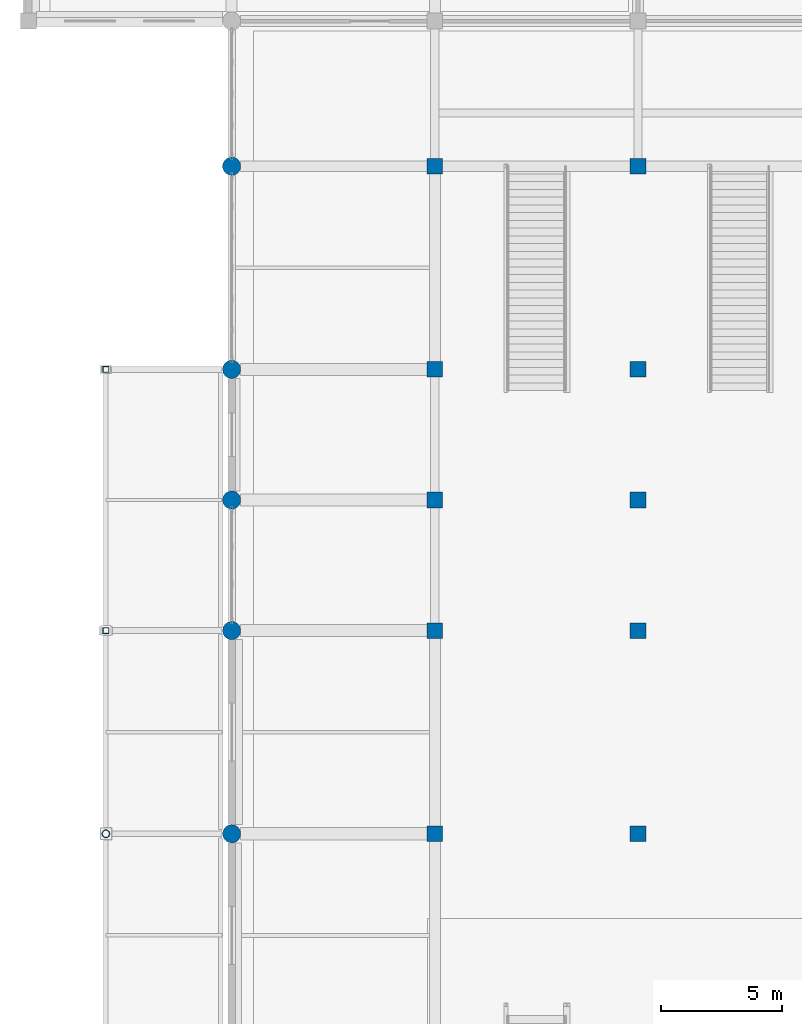
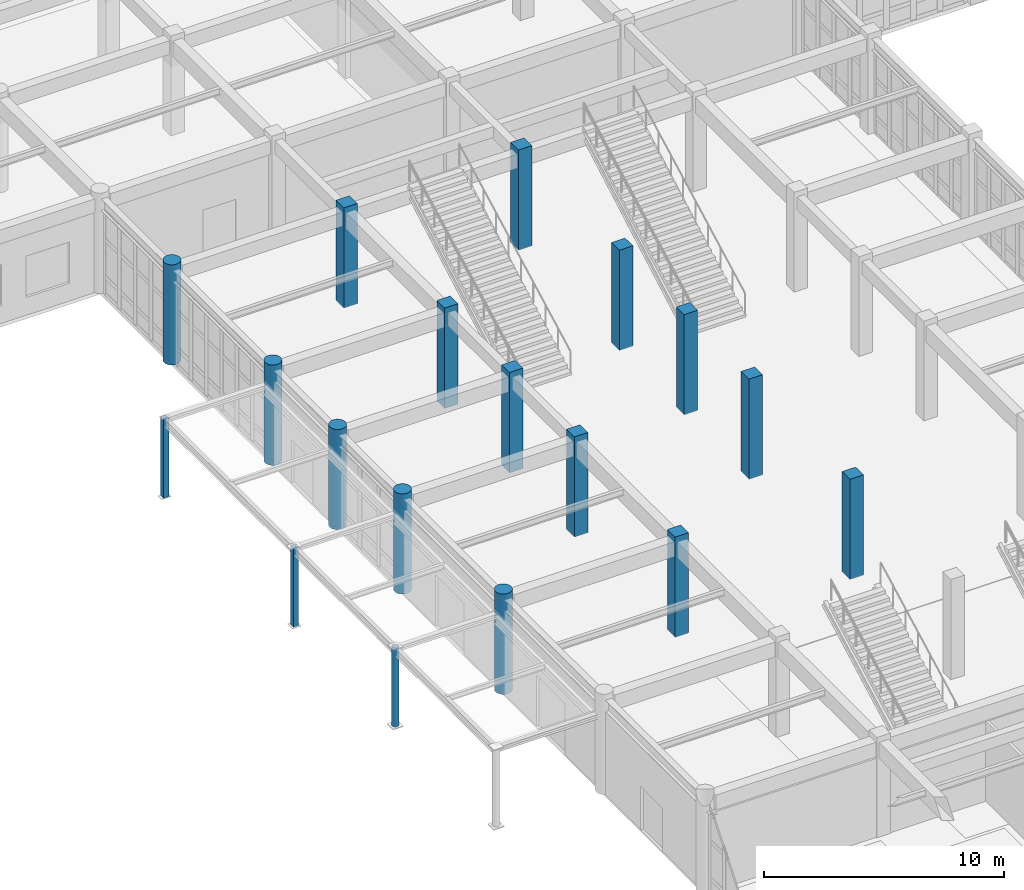
# One storey, part 12 of 80: 18 columns.
"""IFC4 building model written with IfcOpenShell, lengths in metres."""

from ifc_helpers import new_model, si_unit, direction, frame, origin, origin_2d, place, context, subcontext, project, spatial, rectangle, hollow_rectangle, circle, hollow_circle, extrude, material, material_profile, profile_set, type_object, element, save


model = new_model("IFC4")

# Units and contexts
model_context = context("Model", 3, precision=1e-05, world=origin(), true_north=direction((0.0, 1.0)))
body_context = subcontext(model_context, "Body", "Model", "MODEL_VIEW")
ifc_project = project(units=[si_unit("LENGTHUNIT", "METRE"), si_unit("AREAUNIT", "SQUARE_METRE"), si_unit("VOLUMEUNIT", "CUBIC_METRE"), si_unit("PLANEANGLEUNIT", "RADIAN"), si_unit("MASSUNIT", "GRAM", prefix="KILO")], contexts=[model_context])

# Site, building, storey
site_placement = place(None, origin())
site = spatial("IfcSite", under=ifc_project, at=site_placement, CompositionType="ELEMENT")
building_placement = place(site_placement, origin())
building = spatial("IfcBuilding", under=site, at=building_placement, Name="Krzemoval Escarpment Law Courts", CompositionType="ELEMENT")
storey_placement = place(building_placement, origin())
storey = spatial("IfcBuildingStorey", under=building, at=storey_placement, Name="L00", CompositionType="ELEMENT", Elevation=0.0)

# Columns
ifc_material_1 = material(Name="Concrete C40/50", Category="concrete")
ifc_material_profile_1 = material_profile(ifc_material_1, rectangle(XDim=0.64990234375, YDim=0.64990234375, at=origin_2d()), Name="RC 650x650")
ifc_profile_set_1 = profile_set([ifc_material_profile_1], Name="Concrete C40/50")
column_type_1 = type_object("IfcColumnType", Name="COL-RC-650", PredefinedType="COLUMN", material=ifc_profile_set_1)
for number, where, z_axis, x_axis, name in (
    (1, (16.800048828125, 66.0, 0.0), (0.0, 0.0, 1.0), (1.0, 0.0, 0.0), "Column FC-L00-0306"),
    (2, (16.800048828125, 74.39990234375, 0.0), (0.0, 0.0, 1.0), (1.0, 0.0, 0.0), "Column FC-L00-0307"),
    (3, (16.800048828125, 79.800048828125, 0.0), (0.0, 0.0, 1.0), (1.0, 0.0, 0.0), "Column FC-L00-0308"),
    (4, (16.800048828125, 85.199951171875, 0.0), (0.0, 0.0, 1.0), (1.0, 0.0, 0.0), "Column FC-L00-0309"),
    (5, (16.800048828125, 93.60009765625, 0.0), (0.0, 0.0, 1.0), (1.0, 0.0, 0.0), "Column FC-L00-0310"),
    (6, (25.199951171875, 66.0, 0.0), (0.0, 0.0, 1.0), (1.0, 0.0, 0.0), "Column FC-L00-0323"),
    (7, (25.199951171875, 74.39990234375, 0.0), (0.0, 0.0, 1.0), (1.0, 0.0, 0.0), "Column FC-L00-0324"),
    (8, (25.199951171875, 79.800048828125, 0.0), (0.0, 0.0, 1.0), (1.0, 0.0, 0.0), "Column FC-L00-0325"),
    (9, (25.199951171875, 85.199951171875, 0.0), (0.0, 0.0, 1.0), (1.0, 0.0, 0.0), "Column FC-L00-0326"),
    (10, (25.199951171875, 93.60009765625, 0.0), (0.0, 0.0, 1.0), (1.0, 0.0, 0.0), "Column FC-L00-0327"),
):
    element("IfcColumn", number, at=place(storey_placement, frame(where, z_axis=z_axis, x_axis=x_axis)), inside=storey, type_object=column_type_1, Name=name, PredefinedType="COLUMN", context=body_context, shape_type="SweptSolid", body=[
        extrude(rectangle(XDim=0.64990234375, YDim=0.64990234375, at=origin_2d()), origin(), (0.0, 0.0, 1.0), 5.10009765625),
    ])
ifc_material_2 = material(Name="Concrete C40/50", Category="concrete")
ifc_material_profile_2 = material_profile(ifc_material_2, circle(Radius=0.375, at=origin_2d()), Name="RC D750")
ifc_profile_set_2 = profile_set([ifc_material_profile_2], Name="Concrete C40/50")
column_type_2 = type_object("IfcColumnType", Name="COL-RCD-750", PredefinedType="COLUMN", material=ifc_profile_set_2)
for number, where, z_axis, x_axis, name in (
    (11, (8.39990234375, 66.0, 0.0), (0.0, 0.0, 1.0), (1.0, 0.0, 0.0), "Column FC-L00-0289"),
    (12, (8.39990234375, 74.39990234375, 0.0), (0.0, 0.0, 1.0), (1.0, 0.0, 0.0), "Column FC-L00-0290"),
    (13, (8.39990234375, 79.800048828125, 0.0), (0.0, 0.0, 1.0), (1.0, 0.0, 0.0), "Column FC-L00-0291"),
    (14, (8.39990234375, 85.199951171875, 0.0), (0.0, 0.0, 1.0), (1.0, 0.0, 0.0), "Column FC-L00-0292"),
    (15, (8.39990234375, 93.60009765625, 0.0), (0.0, 0.0, 1.0), (1.0, 0.0, 0.0), "Column FC-L00-0293"),
):
    element("IfcColumn", number, at=place(storey_placement, frame(where, z_axis=z_axis, x_axis=x_axis)), inside=storey, type_object=column_type_2, Name=name, PredefinedType="COLUMN", context=body_context, shape_type="SweptSolid", body=[
        extrude(circle(Radius=0.375, at=origin_2d()), origin(), (0.0, 0.0, 1.0), 5.10009765625),
    ])
ifc_material_3 = material(Name="Steel S355", Category="steel")
ifc_material_profile_3 = material_profile(ifc_material_3, hollow_circle(Radius=0.161865234375, WallThickness=0.01611328125, at=origin_2d()), Name="CHS 323.9x16")
ifc_profile_set_3 = profile_set([ifc_material_profile_3], Name="Steel S355")
column_type_3 = type_object("IfcColumnType", Name="COL-S355-CHS324", PredefinedType="COLUMN", material=ifc_profile_set_3)
column_placement = place(storey_placement, frame((3.199951171875, 66.0, 0.0), z_axis=(0.0, 0.0, 1.0), x_axis=(1.0, 0.0, 0.0)))
element("IfcColumn", 16, at=column_placement, inside=storey, type_object=column_type_3, Name="Steel Column SC-006", PredefinedType="COLUMN", context=body_context, shape_type="SweptSolid", body=[
    extrude(hollow_circle(Radius=0.161865234375, WallThickness=0.01611328125, at=origin_2d()), origin(), (0.0, 0.0, 1.0), 4.02001953125),
])
ifc_material_4 = material(Name="Steel S355", Category="steel")
ifc_material_profile_4 = material_profile(ifc_material_4, hollow_rectangle(XDim=0.25, YDim=0.25, WallThickness=0.012451171875, at=origin_2d()), Name="SHS 250x250x12.5")
ifc_profile_set_4 = profile_set([ifc_material_profile_4], Name="Steel S355")
column_type_4 = type_object("IfcColumnType", Name="COL-S355-SHS250", PredefinedType="COLUMN", material=ifc_profile_set_4)
for number, where, z_axis, x_axis, name in (
    (17, (3.199951171875, 74.39990234375, 0.0), (0.0, 0.0, 1.0), (1.0, 0.0, 0.0), "Steel Column SC-007"),
    (18, (3.199951171875, 85.199951171875, 0.0), (0.0, 0.0, 1.0), (1.0, 0.0, 0.0), "Steel Column SC-008"),
):
    element("IfcColumn", number, at=place(storey_placement, frame(where, z_axis=z_axis, x_axis=x_axis)), inside=storey, type_object=column_type_4, Name=name, PredefinedType="COLUMN", context=body_context, shape_type="SweptSolid", body=[
        extrude(hollow_rectangle(XDim=0.25, YDim=0.25, WallThickness=0.012451171875, at=origin_2d()), origin(), (0.0, 0.0, 1.0), 4.02001953125),
    ])

save(model, "model.ifc")
